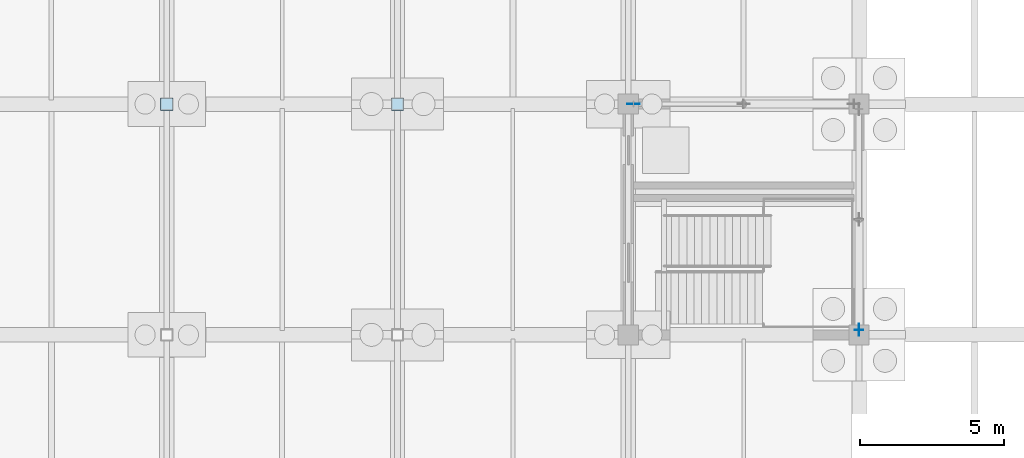
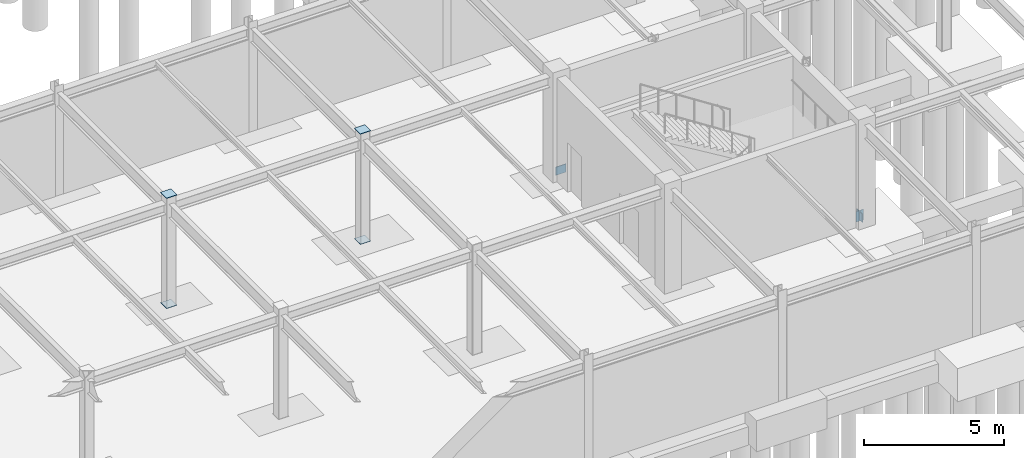
# One storey, part 50 of 72: 7 plates.
"""IFC4 building model written with IfcOpenShell, lengths in metres."""

from ifc_helpers import new_model, si_unit, direction, frame, origin, origin_2d, place, context, subcontext, project, spatial, rectangle, extrude, material, layer, layer_set, type_object, element, save


model = new_model("IFC4")

# Units and contexts
model_context = context("Model", 3, precision=1e-05, world=origin(), true_north=direction((0.0, 1.0)))
body_context = subcontext(model_context, "Body", "Model", "MODEL_VIEW")
ifc_project = project(units=[si_unit("LENGTHUNIT", "METRE"), si_unit("AREAUNIT", "SQUARE_METRE"), si_unit("VOLUMEUNIT", "CUBIC_METRE"), si_unit("PLANEANGLEUNIT", "RADIAN"), si_unit("MASSUNIT", "GRAM", prefix="KILO")], contexts=[model_context])

# Site, building, storey
site_placement = place(None, origin())
site = spatial("IfcSite", under=ifc_project, at=site_placement, CompositionType="ELEMENT")
building_placement = place(site_placement, origin())
building = spatial("IfcBuilding", under=site, at=building_placement, Name="Zhaolan Boulevard Law Courts", CompositionType="ELEMENT")
storey_placement = place(building_placement, frame((0.0, 0.0, -4.800048828125)))
storey = spatial("IfcBuildingStorey", under=building, at=storey_placement, Name="B1", CompositionType="ELEMENT", Elevation=-4.800048828125)

# Plates
ifc_material_1 = material(Name="Structural steel Q355B", Category="steel")
ifc_layer_1 = layer(ifc_material_1, 0.02392578125)
ifc_layer_set_1 = layer_set([ifc_layer_1])
plate_type_1 = type_object("IfcPlateType", Name="BRACE GUSSET PLATE 24", PredefinedType="SHEET", material=ifc_layer_set_1)
for number, where, z_axis, x_axis, name in (
    (1, (116.179931640625, 22.0, 0.02001953125), (0.0, 0.0, 1.0), (1.0, 0.0, 0.0), "Brace Gusset Connection Plate GP-P2-B1-NA1"),
    (2, (124.0, 14.179931640625, 0.02001953125), (0.0, 0.0, 1.0), (0.0, 1.0, 0.0), "Brace Gusset Connection Plate GP-P2-B1-EA1"),
):
    element("IfcPlate", number, at=place(storey_placement, frame(where, z_axis=z_axis, x_axis=x_axis)), inside=storey, type_object=plate_type_1, Name=name, PredefinedType="SHEET", context=body_context, shape_type="SweptSolid", body=[
        extrude(rectangle(XDim=0.419921875, YDim=0.02392578125, at=origin_2d()), origin(), (0.0, 0.0, 1.0), 0.360107421875),
    ])
ifc_material_2 = material(Name="Structural steel Q355B", Category="steel")
ifc_layer_2 = layer(ifc_material_2, 0.02001953125)
ifc_layer_set_2 = layer_set([ifc_layer_2])
plate_type_2 = type_object("IfcPlateType", Name="END CAP PLATE 20", PredefinedType="SHEET", material=ifc_layer_set_2)
for number, where, z_axis, x_axis, name in (
    (3, (100.0, 22.0, -0.01806640625), (0.0, 0.0, 1.0), (1.0, 0.0, 0.0), "Hollow Section End-Cap Plate ECP-0635"),
    (4, (100.0, 22.0, 4.798095703125), (0.0, 0.0, 1.0), (1.0, 0.0, 0.0), "Hollow Section End-Cap Plate ECP-0636"),
    (5, (108.0, 22.0, -0.01806640625), (0.0, 0.0, 1.0), (1.0, 0.0, 0.0), "Hollow Section End-Cap Plate ECP-0643"),
    (6, (108.0, 22.0, 4.798095703125), (0.0, 0.0, 1.0), (1.0, 0.0, 0.0), "Hollow Section End-Cap Plate ECP-0644"),
):
    element("IfcPlate", number, at=place(storey_placement, frame(where, z_axis=z_axis, x_axis=x_axis)), inside=storey, type_object=plate_type_2, Name=name, PredefinedType="SHEET", context=body_context, shape_type="SweptSolid", body=[
        extrude(rectangle(XDim=0.429931640625, YDim=0.429931640625, at=origin_2d()), origin(), (0.0, 0.0, 1.0), 0.02001953125),
    ])
plate_placement = place(storey_placement, frame((124.0, 14.1748046875, -0.034423828125), z_axis=(0.0, 0.0, 1.0), x_axis=(0.0, 1.0, 0.0)))
element("IfcPlate", 7, at=plate_placement, inside=storey, type_object=plate_type_2, Name="Hollow Section End-Cap Plate ECP-1251", PredefinedType="SHEET", context=body_context, shape_type="SweptSolid", body=[
    extrude(rectangle(XDim=0.02001953125, YDim=0.302978515625, at=origin_2d()), origin(), (0.0, 0.0, 1.0), 0.45703125),
])

save(model, "model.ifc")
